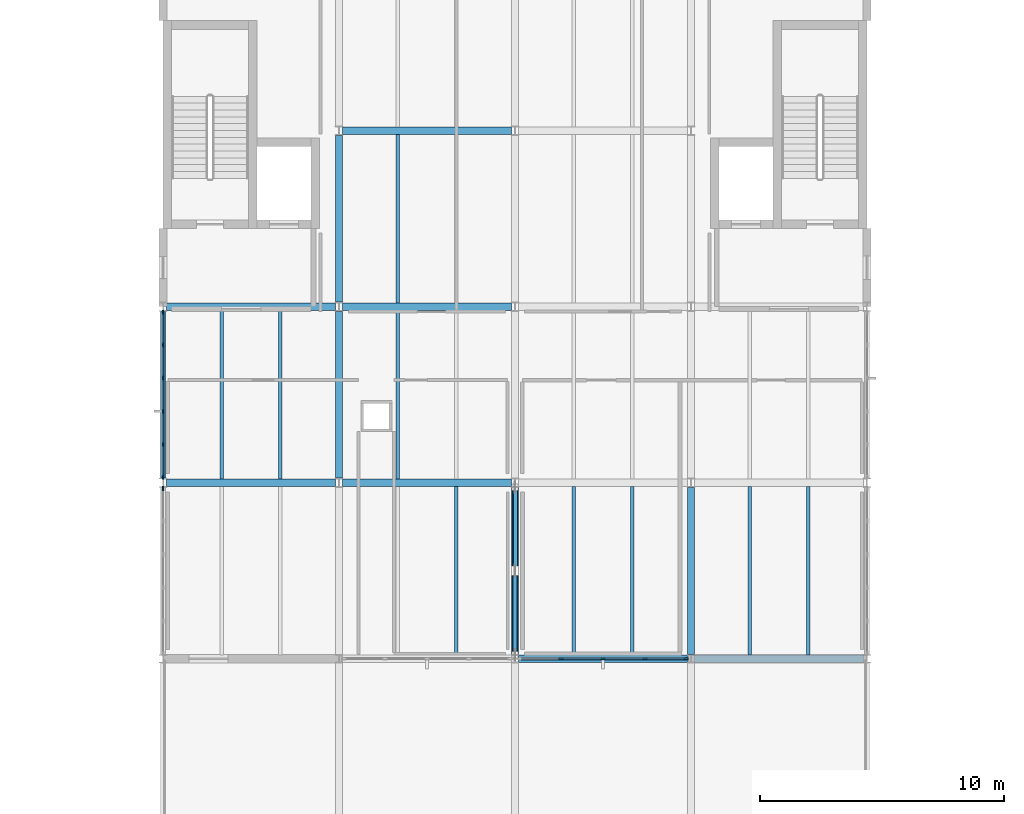
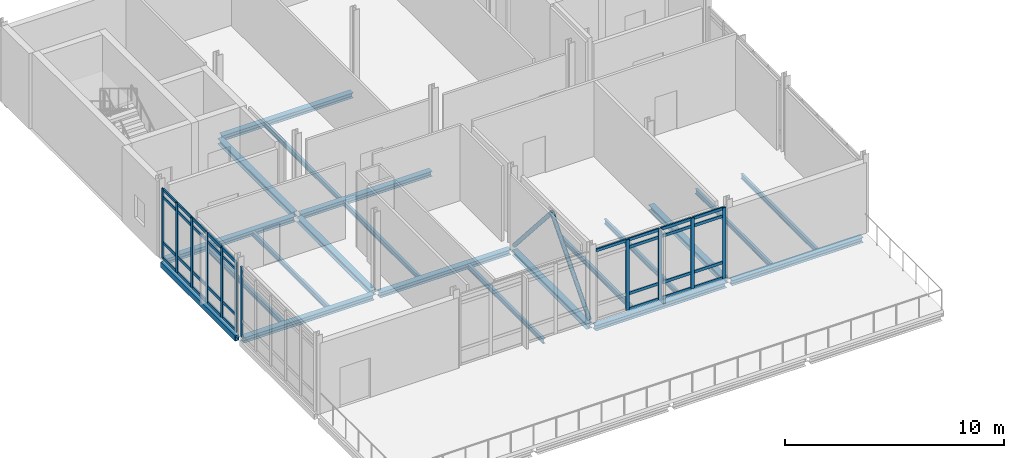
# One storey, part 20 of 53: 46 members, 21 beams, 3 elements without a shape of their own.
"""IFC4 building model written with IfcOpenShell, lengths in metres."""

import ifcopenshell
import ifcopenshell.guid

model = None  # the IFC model being written
_history = None  # IfcOwnerHistory: only IFC2X3 demands one
_inside = {}  # id of a spatial element -> (the spatial element, [elements in it])
_under = {}  # id of a project, library or spatial element -> (it, [spatial elements below it])
_declared = {}  # id of a project -> (the project, [libraries it declares])
_typed = {}  # id of a type object -> (the type object, [elements of that type])
_made_of = {}  # id of a material, layer set ... -> (it, [elements and type objects made of it])


def new_model(schema):
    """Start an empty IFC model of exactly this schema.

    Asked for "IFC4X3", IfcOpenShell would pick the latest addendum, in which some entities
    have other attributes; the version numbers below select the first issue.
    IFC2X3 requires an IfcOwnerHistory on every rooted entity: one is made here for all.
    """
    global model, _history
    if schema == "IFC4X3":
        model = ifcopenshell.file(schema_version=(4, 3, 0, 0))
    else:
        model = ifcopenshell.file(schema=schema)
    _inside.clear()
    _under.clear()
    _declared.clear()
    _typed.clear()
    _made_of.clear()
    _history = None
    if model.schema == "IFC2X3":
        org = make("IfcOrganization", Name="unknown")
        user = make(
            "IfcPersonAndOrganization",
            ThePerson=make("IfcPerson", FamilyName="unknown"),
            TheOrganization=org,
        )
        app = make(
            "IfcApplication",
            ApplicationDeveloper=org,
            Version="unknown",
            ApplicationFullName="unknown",
            ApplicationIdentifier="unknown",
        )
        _history = make(
            "IfcOwnerHistory",
            OwningUser=user,
            OwningApplication=app,
            ChangeAction="ADDED",
            CreationDate=0,
        )
    return model


def make(cls, **values):
    """One entity of the class cls with the attributes given. An attribute that is None is left unset."""
    return model.create_entity(
        cls, **{name: value for name, value in values.items() if value is not None}
    )


def rooted(cls, **values):
    """An entity with a GlobalId (a new one), such as an element, a storey or a relation."""
    return make(cls, GlobalId=ifcopenshell.guid.new(), OwnerHistory=_history, **values)


def si_unit(unit_type, name, prefix=None):
    """IfcSIUnit, for example si_unit("LENGTHUNIT", "METRE", prefix="MILLI")."""
    return make("IfcSIUnit", UnitType=unit_type, Prefix=prefix, Name=name)


def assignment(units):
    """IfcUnitAssignment: the units of a project."""
    return None if units is None else make("IfcUnitAssignment", Units=units)


def point(xyz):
    """IfcCartesianPoint."""
    return None if xyz is None else make("IfcCartesianPoint", Coordinates=xyz)


def direction(xyz):
    """IfcDirection."""
    return None if xyz is None else make("IfcDirection", DirectionRatios=xyz)


def frame(location, z_axis=None, x_axis=None):
    """IfcAxis2Placement3D, a coordinate frame: its origin and axes. An axis left out is left unset."""
    return make(
        "IfcAxis2Placement3D",
        Location=point(location),
        Axis=direction(z_axis),
        RefDirection=direction(x_axis),
    )


def frame_2d(location, x_axis=None):
    """IfcAxis2Placement2D, a coordinate frame in the plane: its origin and x axis."""
    return make(
        "IfcAxis2Placement2D", Location=point(location), RefDirection=direction(x_axis)
    )


def origin():
    """The frame at (0, 0, 0) with its axes left unset."""
    return frame((0.0, 0.0, 0.0))


def origin_2d():
    """The frame at (0, 0) in the plane with its x axis left unset."""
    return frame_2d((0.0, 0.0))


def place(relative_to, where):
    """IfcLocalPlacement: puts the frame where relative to a parent placement (None: the world)."""
    return make(
        "IfcLocalPlacement", PlacementRelTo=relative_to, RelativePlacement=where
    )


def context(
    kind, dimensions, precision=None, world=None, true_north=None, identifier=None
):
    """IfcGeometricRepresentationContext, for example the 3D "Model" context."""
    return make(
        "IfcGeometricRepresentationContext",
        ContextIdentifier=identifier,
        ContextType=kind,
        CoordinateSpaceDimension=dimensions,
        Precision=precision,
        WorldCoordinateSystem=world,
        TrueNorth=true_north,
    )


def subcontext(parent, identifier, kind, view, scale=None):
    """IfcGeometricRepresentationSubContext, for example "Body" below "Model"."""
    return make(
        "IfcGeometricRepresentationSubContext",
        ContextIdentifier=identifier,
        ContextType=kind,
        ParentContext=parent,
        TargetScale=scale,
        TargetView=view,
    )


def project(units=None, contexts=None):
    """IfcProject with its units and contexts."""
    return rooted(
        "IfcProject",
        Name="project",
        RepresentationContexts=contexts,
        UnitsInContext=assignment(units),
    )


def spatial(cls, under=None, at=None, **own):
    """A site, building, storey or space (cls), placed at a placement, below another one or the project."""
    s = rooted(cls, ObjectPlacement=at, **own)
    if under is not None:
        _under.setdefault(under.id(), (under, []))[1].append(s)
    return s


def profile(cls, at=None, kind="AREA", **sizes):
    """A parametric profile (cls). Its sizes go by their IFC names, for example OverallWidth=200.0."""
    return make(cls, ProfileType=kind, Position=at, **sizes)


def rectangle(**sizes):
    """IfcRectangleProfileDef."""
    return profile("IfcRectangleProfileDef", **sizes)


def hollow_rectangle(**sizes):
    """IfcRectangleHollowProfileDef."""
    return profile("IfcRectangleHollowProfileDef", **sizes)


def hollow_circle(**sizes):
    """IfcCircleHollowProfileDef."""
    return profile("IfcCircleHollowProfileDef", **sizes)


def i_section(**sizes):
    """IfcIShapeProfileDef."""
    return profile("IfcIShapeProfileDef", **sizes)


def extrude(swept, where, along, depth):
    """IfcExtrudedAreaSolid: the profile swept, set in the frame where, extruded along a direction by depth."""
    return make(
        "IfcExtrudedAreaSolid",
        SweptArea=swept,
        Position=where,
        ExtrudedDirection=direction(along),
        Depth=depth,
    )


def shape(context_of_items, identifier, shape_type, items):
    """IfcShapeRepresentation: the items that make up one representation, for example the "Body"."""
    return make(
        "IfcShapeRepresentation",
        ContextOfItems=context_of_items,
        RepresentationIdentifier=identifier,
        RepresentationType=shape_type,
        Items=items,
    )


def material(Name=None, Category=None):
    """IfcMaterial."""
    return make("IfcMaterial", Name=Name, Category=Category)


def layer(
    of_material, thickness, ventilated=None, Name=None, Category=None, Priority=None
):
    """IfcMaterialLayer: one layer of a wall or slab, of a material (None: an air gap)."""
    return make(
        "IfcMaterialLayer",
        Material=of_material,
        LayerThickness=thickness,
        IsVentilated=ventilated,
        Name=Name,
        Category=Category,
        Priority=Priority,
    )


def layer_set(layers, Name=None):
    """IfcMaterialLayerSet."""
    return make("IfcMaterialLayerSet", MaterialLayers=layers, LayerSetName=Name)


def material_profile(
    of_material, cross_section, Name=None, Category=None, Priority=None
):
    """IfcMaterialProfile: a cross section and its material."""
    return make(
        "IfcMaterialProfile",
        Name=Name,
        Material=of_material,
        Profile=cross_section,
        Priority=Priority,
        Category=Category,
    )


def profile_set(profiles, Name=None, composite=None):
    """IfcMaterialProfileSet."""
    return make(
        "IfcMaterialProfileSet",
        Name=Name,
        MaterialProfiles=profiles,
        CompositeProfile=composite,
    )


def made_of(thing, what):
    """Note that an element or type object is made of a material, layer set ...; save() writes the relation."""
    if what is not None:
        _made_of.setdefault(what.id(), (what, []))[1].append(thing)
    return thing


def type_object(cls, material=None, **own):
    """A type object (cls), such as IfcWallType, which elements share."""
    return made_of(rooted(cls, **own), material)


def element(
    cls,
    number,
    at=None,
    inside=None,
    cuts=None,
    type_object=None,
    material=None,
    context=None,
    identifier="Body",
    shape_type=None,
    held_by="IfcProductDefinitionShape",
    body=None,
    shapes=None,
    **own,
):
    """One element of the class cls, such as IfcWall. Its Tag is "e" and its number.

    at: its placement. inside: the storey or other place that contains it. cuts: it is an
    opening in that element (IfcRelVoidsElement). A single representation is given by context,
    identifier, shape_type and body (its items); several are given by shapes. held_by: the class
    of the entity that holds the representations. save() writes the other relations.
    """
    e = rooted(cls, Tag="e%d" % number, ObjectPlacement=at, **own)
    if body is not None:
        shapes = [shape(context, identifier, shape_type, body)]
    if shapes is not None:
        e.Representation = make(held_by, Representations=shapes)
    if inside is not None:
        _inside.setdefault(inside.id(), (inside, []))[1].append(e)
    if cuts is not None:
        rooted(
            "IfcRelVoidsElement", RelatingBuildingElement=cuts, RelatedOpeningElement=e
        )
    if type_object is not None:
        _typed.setdefault(type_object.id(), (type_object, []))[1].append(e)
    return made_of(e, material)


def aggregate(whole, parts):
    """IfcRelAggregates: a whole, such as a stair, and the parts it consists of."""
    return rooted("IfcRelAggregates", RelatingObject=whole, RelatedObjects=parts)


def save(model, path):
    """Write the relations noted so far, then the file.

    IfcRelAggregates (storeys below a building ...), IfcRelContainedInSpatialStructure (elements
    in a storey), IfcRelDefinesByType, IfcRelAssociatesMaterial and IfcRelDeclares: one each for
    every whole, place, type object, material and project.
    """
    for whole, parts in _under.values():
        aggregate(whole, parts)
    for where, things in _inside.values():
        rooted(
            "IfcRelContainedInSpatialStructure",
            RelatedElements=things,
            RelatingStructure=where,
        )
    for kind, things in _typed.values():
        rooted("IfcRelDefinesByType", RelatedObjects=things, RelatingType=kind)
    for what, things in _made_of.values():
        rooted("IfcRelAssociatesMaterial", RelatedObjects=things, RelatingMaterial=what)
    for by, libraries in _declared.values():
        rooted("IfcRelDeclares", RelatingContext=by, RelatedDefinitions=libraries)
    model.write(path)


model = new_model("IFC4")

# Units and contexts
model_context = context("Model", 3, precision=1e-05, world=origin(), true_north=direction((0.0, 1.0)))
body_context = subcontext(model_context, "Body", "Model", "MODEL_VIEW")
ifc_project = project(units=[si_unit("LENGTHUNIT", "METRE"), si_unit("AREAUNIT", "SQUARE_METRE"), si_unit("VOLUMEUNIT", "CUBIC_METRE"), si_unit("PLANEANGLEUNIT", "RADIAN"), si_unit("MASSUNIT", "GRAM", prefix="KILO")], contexts=[model_context])

# Site, building, storey
site_placement = place(None, origin())
site = spatial("IfcSite", under=ifc_project, at=site_placement, CompositionType="ELEMENT")
building_placement = place(site_placement, origin())
building = spatial("IfcBuilding", under=site, at=building_placement, Name="Zarrinpeak Specialist Clinic", CompositionType="ELEMENT")
storey_placement = place(building_placement, frame((0.0, 0.0, 14.0)))
storey = spatial("IfcBuildingStorey", under=building, at=storey_placement, Name="L03", CompositionType="ELEMENT", Elevation=14.0)

# Beams
ifc_material_1 = material(Name="Steel S355", Category="steel")
ifc_material_profile_1 = material_profile(ifc_material_1, i_section(OverallWidth=0.300048828125, OverallDepth=0.2900390625, WebThickness=0.008544921875, FlangeThickness=0.013916015625, FilletRadius=0.027099609375, at=origin_2d()), Name="HEA 300")
ifc_profile_set_1 = profile_set([ifc_material_profile_1], Name="Steel S355")
beam_type_1 = type_object("IfcBeamType", Name="BM-HEA300", PredefinedType="BEAM", material=ifc_profile_set_1)
beam_1_placement = place(storey_placement, frame((50.548095703125, 89.199951171875, -0.344970703125), z_axis=(1.0, 0.0, 0.0), x_axis=(0.0, 1.0, 0.0)))
element("IfcBeam", 1, at=beam_1_placement, inside=storey, type_object=beam_type_1, Name="L03 Primary Floor Girder BM-L03-X1577", PredefinedType="BEAM", context=body_context, shape_type="SweptSolid", body=[
    extrude(i_section(OverallWidth=0.300048828125, OverallDepth=0.2900390625, WebThickness=0.008544921875, FlangeThickness=0.013916015625, FilletRadius=0.027099609375, at=origin_2d()), origin(), (0.0, 0.0, 1.0), 6.90380859375),
])
for number, where, z_axis, x_axis, name in (
    (2, (57.748046875, 89.199951171875, -0.344970703125), (1.0, 0.0, 0.0), (0.0, 1.0, 0.0), "L03 Primary Floor Girder BM-L03-X1578"),
    (3, (36.14794921875, 96.39990234375, -0.344970703125), (1.0, 0.0, 0.0), (0.0, 1.0, 0.0), "L03 Primary Floor Girder BM-L03-X1579"),
    (4, (43.347900390625, 96.39990234375, -0.344970703125), (1.0, 0.0, 0.0), (0.0, 1.0, 0.0), "L03 Primary Floor Girder BM-L03-X1580"),
    (5, (36.14794921875, 103.60009765625, -0.344970703125), (1.0, 0.0, 0.0), (0.0, 1.0, 0.0), "L03 Primary Floor Girder BM-L03-X1583"),
    (6, (43.347900390625, 103.60009765625, -0.344970703125), (1.0, 0.0, 0.0), (0.0, 1.0, 0.0), "L03 Primary Floor Girder BM-L03-X1584"),
    (7, (43.347900390625, 110.800048828125, -0.344970703125), (1.0, 0.0, 0.0), (0.0, 1.0, 0.0), "L03 Primary Floor Girder BM-L03-X1587"),
):
    element("IfcBeam", number, at=place(storey_placement, frame(where, z_axis=z_axis, x_axis=x_axis)), inside=storey, type_object=beam_type_1, Name=name, PredefinedType="BEAM", context=body_context, shape_type="SweptSolid", body=[
        extrude(i_section(OverallWidth=0.300048828125, OverallDepth=0.2900390625, WebThickness=0.008544921875, FlangeThickness=0.013916015625, FilletRadius=0.027099609375, at=origin_2d()), origin(), (0.0, 0.0, 1.0), 6.904052734375),
    ])
beam_2_placement = place(storey_placement, frame((43.199951171875, 96.597900390625, -0.344970703125), z_axis=(0.0, 1.0, 0.0), x_axis=(-1.0, 0.0, 0.0)))
element("IfcBeam", 8, at=beam_2_placement, inside=storey, type_object=beam_type_1, Name="L03 Primary Beam BM-L03-Y1657", PredefinedType="BEAM", context=body_context, shape_type="SweptSolid", body=[
    extrude(i_section(OverallWidth=0.300048828125, OverallDepth=0.2900390625, WebThickness=0.008544921875, FlangeThickness=0.013916015625, FilletRadius=0.027099609375, at=origin_2d()), origin(), (0.0, 0.0, 1.0), 6.80419921875),
])
beam_3_placement = place(storey_placement, frame((43.199951171875, 103.798095703125, -0.344970703125), z_axis=(0.0, 1.0, 0.0), x_axis=(-1.0, 0.0, 0.0)))
element("IfcBeam", 9, at=beam_3_placement, inside=storey, type_object=beam_type_1, Name="L03 Primary Beam BM-L03-Y1658", PredefinedType="BEAM", context=body_context, shape_type="SweptSolid", body=[
    extrude(i_section(OverallWidth=0.300048828125, OverallDepth=0.2900390625, WebThickness=0.008544921875, FlangeThickness=0.013916015625, FilletRadius=0.027099609375, at=origin_2d()), origin(), (0.0, 0.0, 1.0), 6.803955078125),
])
for number, where, z_axis, x_axis, name in (
    (10, (50.39990234375, 89.3779296875, -0.344970703125), (0.0, 1.0, 0.0), (-1.0, 0.0, 0.0), "L03 Primary Beam BM-L03-Y1665"),
    (11, (57.60009765625, 89.3779296875, -0.344970703125), (0.0, 1.0, 0.0), (-1.0, 0.0, 0.0), "L03 Primary Beam BM-L03-Y1672"),
):
    element("IfcBeam", number, at=place(storey_placement, frame(where, z_axis=z_axis, x_axis=x_axis)), inside=storey, type_object=beam_type_1, Name=name, PredefinedType="BEAM", context=body_context, shape_type="SweptSolid", body=[
        extrude(i_section(OverallWidth=0.300048828125, OverallDepth=0.2900390625, WebThickness=0.008544921875, FlangeThickness=0.013916015625, FilletRadius=0.027099609375, at=origin_2d()), origin(), (0.0, 0.0, 1.0), 6.823974609375),
    ])
ifc_material_profile_2 = material_profile(ifc_material_1, i_section(OverallWidth=0.135009765625, OverallDepth=0.27001953125, WebThickness=0.006591796875, FlangeThickness=0.01025390625, FilletRadius=0.014892578125, at=origin_2d()), Name="IPE 270")
ifc_profile_set_2 = profile_set([ifc_material_profile_2], Name="Steel S355")
beam_type_2 = type_object("IfcBeamType", Name="BM-JST270", PredefinedType="JOIST", material=ifc_profile_set_2)
for number, where, z_axis, x_axis, name in (
    (12, (38.39990234375, 96.548095703125, -0.3349609375), (0.0, 1.0, 0.0), (-1.0, 0.0, 0.0), "L03 Composite Floor Joist JST-L03-1786"),
    (13, (40.800048828125, 96.548095703125, -0.3349609375), (0.0, 1.0, 0.0), (-1.0, 0.0, 0.0), "L03 Composite Floor Joist JST-L03-1787"),
):
    element("IfcBeam", number, at=place(storey_placement, frame(where, z_axis=z_axis, x_axis=x_axis)), inside=storey, type_object=beam_type_2, Name=name, PredefinedType="JOIST", context=body_context, shape_type="SweptSolid", body=[
        extrude(i_section(OverallWidth=0.135009765625, OverallDepth=0.27001953125, WebThickness=0.006591796875, FlangeThickness=0.01025390625, FilletRadius=0.014892578125, at=origin_2d()), origin(), (0.0, 0.0, 1.0), 6.90380859375),
    ])
beam_4_placement = place(storey_placement, frame((48.0, 89.347900390625, -0.3349609375), z_axis=(0.0, 1.0, 0.0), x_axis=(-1.0, 0.0, 0.0)))
element("IfcBeam", 14, at=beam_4_placement, inside=storey, type_object=beam_type_2, Name="L03 Composite Floor Joist JST-L03-1789", PredefinedType="JOIST", context=body_context, shape_type="SweptSolid", body=[
    extrude(i_section(OverallWidth=0.135009765625, OverallDepth=0.27001953125, WebThickness=0.006591796875, FlangeThickness=0.01025390625, FilletRadius=0.014892578125, at=origin_2d()), origin(), (0.0, 0.0, 1.0), 6.904052734375),
])
beam_5_placement = place(storey_placement, frame((45.60009765625, 96.548095703125, -0.3349609375), z_axis=(0.0, 1.0, 0.0), x_axis=(-1.0, 0.0, 0.0)))
element("IfcBeam", 15, at=beam_5_placement, inside=storey, type_object=beam_type_2, Name="L03 Composite Floor Joist JST-L03-1790", PredefinedType="JOIST", context=body_context, shape_type="SweptSolid", body=[
    extrude(i_section(OverallWidth=0.135009765625, OverallDepth=0.27001953125, WebThickness=0.006591796875, FlangeThickness=0.01025390625, FilletRadius=0.014892578125, at=origin_2d()), origin(), (0.0, 0.0, 1.0), 6.90380859375),
])
for number, where, z_axis, x_axis, name in (
    (16, (45.60009765625, 103.748046875, -0.3349609375), (0.0, 1.0, 0.0), (-1.0, 0.0, 0.0), "L03 Composite Floor Joist JST-L03-1792"),
    (17, (52.800048828125, 89.347900390625, -0.3349609375), (0.0, 1.0, 0.0), (-1.0, 0.0, 0.0), "L03 Composite Floor Joist JST-L03-1796"),
    (18, (55.199951171875, 89.347900390625, -0.3349609375), (0.0, 1.0, 0.0), (-1.0, 0.0, 0.0), "L03 Composite Floor Joist JST-L03-1797"),
    (19, (60.0, 89.347900390625, -0.3349609375), (0.0, 1.0, 0.0), (-1.0, 0.0, 0.0), "L03 Composite Floor Joist JST-L03-1804"),
    (20, (62.39990234375, 89.347900390625, -0.3349609375), (0.0, 1.0, 0.0), (-1.0, 0.0, 0.0), "L03 Composite Floor Joist JST-L03-1805"),
):
    element("IfcBeam", number, at=place(storey_placement, frame(where, z_axis=z_axis, x_axis=x_axis)), inside=storey, type_object=beam_type_2, Name=name, PredefinedType="JOIST", context=body_context, shape_type="SweptSolid", body=[
        extrude(i_section(OverallWidth=0.135009765625, OverallDepth=0.27001953125, WebThickness=0.006591796875, FlangeThickness=0.01025390625, FilletRadius=0.014892578125, at=origin_2d()), origin(), (0.0, 0.0, 1.0), 6.904052734375),
    ])
ifc_material_profile_3 = material_profile(ifc_material_1, hollow_rectangle(XDim=0.199951171875, YDim=0.300048828125, WallThickness=0.012451171875, at=origin_2d()), Name="RHS 300x200x12.5")
ifc_profile_set_3 = profile_set([ifc_material_profile_3], Name="Steel S355")
beam_type_3 = type_object("IfcBeamType", Name="BM-SP300", PredefinedType="SPANDREL", material=ifc_profile_set_3)
beam_6_placement = place(storey_placement, frame((36.0, 96.597900390625, -0.35009765625), z_axis=(0.0, 1.0, 0.0), x_axis=(-1.0, 0.0, 0.0)))
element("IfcBeam", 21, at=beam_6_placement, inside=storey, type_object=beam_type_3, Name="L03 Perimeter Spandrel Beam BM-L03-Y1651", PredefinedType="SPANDREL", context=body_context, shape_type="SweptSolid", body=[
    extrude(hollow_rectangle(XDim=0.199951171875, YDim=0.300048828125, WallThickness=0.012451171875, at=origin_2d()), origin(), (0.0, 0.0, 1.0), 6.80419921875),
])

# Curtain wall, members
ifc_material_2 = material(Name="Anodised Aluminium Alloy 6063-T6", Category="aluminium")
ifc_layer_1 = layer(ifc_material_2, 0.179931640625)
ifc_layer_set_1 = layer_set([ifc_layer_1], Name="Anodised Aluminium Alloy 6063-T6")
curtain_wall_type_1 = type_object("IfcCurtainWallType", Name="CW-COURT", PredefinedType="NOTDEFINED", material=ifc_layer_set_1)
curtain_wall_1_placement = place(storey_placement, origin())
curtain_wall_1 = element("IfcCurtainWall", 22, at=curtain_wall_1_placement, inside=storey, type_object=curtain_wall_type_1, Name="L03 V6 Unitised Curtain Wall CW-L03-V6-148", PredefinedType="NOTDEFINED")
ifc_material_profile_4 = material_profile(ifc_material_2, rectangle(XDim=0.074951171875, YDim=0.179931640625, at=origin_2d()), Name="ALU 75x180")
ifc_profile_set_4 = profile_set([ifc_material_profile_4], Name="Anodised Aluminium Alloy 6063-T6")
member_type_1 = type_object("IfcMemberType", Name="CWM-75", PredefinedType="MULLION", material=ifc_profile_set_4)
member_1_placement = place(storey_placement, frame((52.28759765625, 89.199951171875, 0.0), z_axis=(0.0, 0.0, 1.0), x_axis=(0.0, 1.0, 0.0)))
member_1 = element("IfcMember", 23, at=member_1_placement, type_object=member_type_1, Name="CW-01 mullion 2", PredefinedType="MULLION", context=body_context, shape_type="SweptSolid", body=[
    extrude(rectangle(XDim=0.074951171875, YDim=0.179931640625, at=origin_2d()), origin(), (0.0, 0.0, 1.0), 3.93505859375),
])
member_2_placement = place(storey_placement, frame((54.0, 89.199951171875, 0.0), z_axis=(0.0, 0.0, 1.0), x_axis=(0.0, 1.0, 0.0)))
member_2 = element("IfcMember", 24, at=member_2_placement, type_object=member_type_1, Name="CW-01 mullion 3", PredefinedType="MULLION", context=body_context, shape_type="SweptSolid", body=[
    extrude(rectangle(XDim=0.074951171875, YDim=0.179931640625, at=origin_2d()), origin(), (0.0, 0.0, 1.0), 3.93505859375),
])
member_3_placement = place(storey_placement, frame((55.71240234375, 89.199951171875, 0.0), z_axis=(0.0, 0.0, 1.0), x_axis=(0.0, 1.0, 0.0)))
member_3 = element("IfcMember", 25, at=member_3_placement, type_object=member_type_1, Name="CW-01 mullion 4", PredefinedType="MULLION", context=body_context, shape_type="SweptSolid", body=[
    extrude(rectangle(XDim=0.074951171875, YDim=0.179931640625, at=origin_2d()), origin(), (0.0, 0.0, 1.0), 3.93505859375),
])
member_4_placement = place(storey_placement, frame((57.387451171875, 89.199951171875, 0.0), z_axis=(0.0, 0.0, 1.0), x_axis=(0.0, 1.0, 0.0)))
member_4 = element("IfcMember", 26, at=member_4_placement, type_object=member_type_1, Name="CW-01 mullion 5", PredefinedType="MULLION", context=body_context, shape_type="SweptSolid", body=[
    extrude(rectangle(XDim=0.074951171875, YDim=0.179931640625, at=origin_2d()), origin(), (0.0, 0.0, 1.0), 3.93505859375),
])

# Curtain wall, member
ifc_layer_2 = layer(ifc_material_2, 0.1650390625)
ifc_layer_set_2 = layer_set([ifc_layer_2], Name="Anodised Aluminium Alloy 6063-T6")
curtain_wall_type_2 = type_object("IfcCurtainWallType", Name="CW-CLINIC", PredefinedType="NOTDEFINED", material=ifc_layer_set_2)
curtain_wall_2_placement = place(storey_placement, origin())
curtain_wall_2 = element("IfcCurtainWall", 27, at=curtain_wall_2_placement, inside=storey, type_object=curtain_wall_type_2, Name="L03 V6 Unitised Curtain Wall CW-L03-V6-149", PredefinedType="NOTDEFINED")
member_5_placement = place(storey_placement, frame((36.0, 96.157470703125, 0.0), z_axis=(0.0, 0.0, 1.0), x_axis=(1.0, 0.0, 0.0)))
member_5 = element("IfcMember", 28, at=member_5_placement, type_object=member_type_1, Name="CW-03 mullion 1", PredefinedType="MULLION", context=body_context, shape_type="SweptSolid", body=[
    extrude(rectangle(XDim=0.074951171875, YDim=0.179931640625, at=origin_2d()), origin(), (0.0, 0.0, 1.0), 3.885009765625),
])
aggregate(curtain_wall_2, [member_5])

# Curtain wall, members
curtain_wall_3_placement = place(storey_placement, origin())
curtain_wall_3 = element("IfcCurtainWall", 29, at=curtain_wall_3_placement, inside=storey, type_object=curtain_wall_type_2, Name="L03 V6 Unitised Curtain Wall CW-L03-V6-150", PredefinedType="NOTDEFINED")
member_6_placement = place(storey_placement, frame((36.0, 103.357421875, 0.0), z_axis=(0.0, 0.0, 1.0), x_axis=(1.0, 0.0, 0.0)))
member_6 = element("IfcMember", 30, at=member_6_placement, type_object=member_type_1, Name="CW-03 mullion 1", PredefinedType="MULLION", context=body_context, shape_type="SweptSolid", body=[
    extrude(rectangle(XDim=0.074951171875, YDim=0.179931640625, at=origin_2d()), origin(), (0.0, 0.0, 1.0), 3.885009765625),
])
member_7_placement = place(storey_placement, frame((36.0, 102.037109375, 0.0), z_axis=(0.0, 0.0, 1.0), x_axis=(1.0, 0.0, 0.0)))
member_7 = element("IfcMember", 31, at=member_7_placement, type_object=member_type_1, Name="CW-03 mullion 2", PredefinedType="MULLION", context=body_context, shape_type="SweptSolid", body=[
    extrude(rectangle(XDim=0.074951171875, YDim=0.179931640625, at=origin_2d()), origin(), (0.0, 0.0, 1.0), 3.885009765625),
])
member_8_placement = place(storey_placement, frame((36.0, 100.678955078125, 0.0), z_axis=(0.0, 0.0, 1.0), x_axis=(1.0, 0.0, 0.0)))
member_8 = element("IfcMember", 32, at=member_8_placement, type_object=member_type_1, Name="CW-03 mullion 3", PredefinedType="MULLION", context=body_context, shape_type="SweptSolid", body=[
    extrude(rectangle(XDim=0.074951171875, YDim=0.179931640625, at=origin_2d()), origin(), (0.0, 0.0, 1.0), 3.885009765625),
])
member_9_placement = place(storey_placement, frame((36.0, 99.321044921875, 0.0), z_axis=(0.0, 0.0, 1.0), x_axis=(1.0, 0.0, 0.0)))
member_9 = element("IfcMember", 33, at=member_9_placement, type_object=member_type_1, Name="CW-03 mullion 4", PredefinedType="MULLION", context=body_context, shape_type="SweptSolid", body=[
    extrude(rectangle(XDim=0.074951171875, YDim=0.179931640625, at=origin_2d()), origin(), (0.0, 0.0, 1.0), 3.885009765625),
])
member_10_placement = place(storey_placement, frame((36.0, 97.962890625, 0.0), z_axis=(0.0, 0.0, 1.0), x_axis=(1.0, 0.0, 0.0)))
member_10 = element("IfcMember", 34, at=member_10_placement, type_object=member_type_1, Name="CW-03 mullion 5", PredefinedType="MULLION", context=body_context, shape_type="SweptSolid", body=[
    extrude(rectangle(XDim=0.074951171875, YDim=0.179931640625, at=origin_2d()), origin(), (0.0, 0.0, 1.0), 3.885009765625),
])
member_11_placement = place(storey_placement, frame((36.0, 96.642578125, 0.0), z_axis=(0.0, 0.0, 1.0), x_axis=(1.0, 0.0, 0.0)))
member_11 = element("IfcMember", 35, at=member_11_placement, type_object=member_type_1, Name="CW-03 mullion 6", PredefinedType="MULLION", context=body_context, shape_type="SweptSolid", body=[
    extrude(rectangle(XDim=0.074951171875, YDim=0.179931640625, at=origin_2d()), origin(), (0.0, 0.0, 1.0), 3.885009765625),
])

# Member
ifc_material_profile_5 = material_profile(ifc_material_2, rectangle(XDim=0.074951171875, YDim=0.159912109375, at=origin_2d()), Name="ALU 75x160")
ifc_profile_set_5 = profile_set([ifc_material_profile_5], Name="Anodised Aluminium Alloy 6063-T6")
member_type_2 = type_object("IfcMemberType", Name="CWT-75", PredefinedType="USERDEFINED", material=ifc_profile_set_5)
member_12_placement = place(storey_placement, frame((50.64990234375, 89.199951171875, 3.8974609375), z_axis=(1.0, 0.0, 0.0), x_axis=(0.0, 1.0, 0.0)))
member_12 = element("IfcMember", 36, at=member_12_placement, type_object=member_type_2, Name="CW-01 transom 1.4", ObjectType="TRANSOM", PredefinedType="USERDEFINED", context=body_context, shape_type="SweptSolid", body=[
    extrude(rectangle(XDim=0.074951171875, YDim=0.159912109375, at=origin_2d()), origin(), (0.0, 0.0, 1.0), 1.60009765625),
])

member_13_placement = place(storey_placement, frame((52.324951171875, 89.199951171875, 0.03759765625), z_axis=(1.0, 0.0, 0.0), x_axis=(0.0, 1.0, 0.0)))
member_13 = element("IfcMember", 37, at=member_13_placement, type_object=member_type_2, Name="CW-01 transom 2.1", ObjectType="TRANSOM", PredefinedType="USERDEFINED", context=body_context, shape_type="SweptSolid", body=[
    extrude(rectangle(XDim=0.074951171875, YDim=0.159912109375, at=origin_2d()), origin(), (0.0, 0.0, 1.0), 1.637451171875),
])

member_14_placement = place(storey_placement, frame((52.324951171875, 89.199951171875, 0.89990234375), z_axis=(1.0, 0.0, 0.0), x_axis=(0.0, 1.0, 0.0)))
member_14 = element("IfcMember", 38, at=member_14_placement, type_object=member_type_2, Name="CW-01 transom 2.2", ObjectType="TRANSOM", PredefinedType="USERDEFINED", context=body_context, shape_type="SweptSolid", body=[
    extrude(rectangle(XDim=0.074951171875, YDim=0.159912109375, at=origin_2d()), origin(), (0.0, 0.0, 1.0), 1.637451171875),
])

member_15_placement = place(storey_placement, frame((52.324951171875, 89.199951171875, 3.485107421875), z_axis=(1.0, 0.0, 0.0), x_axis=(0.0, 1.0, 0.0)))
member_15 = element("IfcMember", 39, at=member_15_placement, type_object=member_type_2, Name="CW-01 transom 2.3", ObjectType="TRANSOM", PredefinedType="USERDEFINED", context=body_context, shape_type="SweptSolid", body=[
    extrude(rectangle(XDim=0.074951171875, YDim=0.159912109375, at=origin_2d()), origin(), (0.0, 0.0, 1.0), 1.637451171875),
])

member_16_placement = place(storey_placement, frame((52.324951171875, 89.199951171875, 3.8974609375), z_axis=(1.0, 0.0, 0.0), x_axis=(0.0, 1.0, 0.0)))
member_16 = element("IfcMember", 40, at=member_16_placement, type_object=member_type_2, Name="CW-01 transom 2.4", ObjectType="TRANSOM", PredefinedType="USERDEFINED", context=body_context, shape_type="SweptSolid", body=[
    extrude(rectangle(XDim=0.074951171875, YDim=0.159912109375, at=origin_2d()), origin(), (0.0, 0.0, 1.0), 1.637451171875),
])

member_17_placement = place(storey_placement, frame((54.03759765625, 89.199951171875, 0.03759765625), z_axis=(1.0, 0.0, 0.0), x_axis=(0.0, 1.0, 0.0)))
member_17 = element("IfcMember", 41, at=member_17_placement, type_object=member_type_2, Name="CW-01 transom 3.1", ObjectType="TRANSOM", PredefinedType="USERDEFINED", context=body_context, shape_type="SweptSolid", body=[
    extrude(rectangle(XDim=0.074951171875, YDim=0.159912109375, at=origin_2d()), origin(), (0.0, 0.0, 1.0), 1.637451171875),
])

member_18_placement = place(storey_placement, frame((54.03759765625, 89.199951171875, 0.89990234375), z_axis=(1.0, 0.0, 0.0), x_axis=(0.0, 1.0, 0.0)))
member_18 = element("IfcMember", 42, at=member_18_placement, type_object=member_type_2, Name="CW-01 transom 3.2", ObjectType="TRANSOM", PredefinedType="USERDEFINED", context=body_context, shape_type="SweptSolid", body=[
    extrude(rectangle(XDim=0.074951171875, YDim=0.159912109375, at=origin_2d()), origin(), (0.0, 0.0, 1.0), 1.637451171875),
])

member_19_placement = place(storey_placement, frame((54.03759765625, 89.199951171875, 3.485107421875), z_axis=(1.0, 0.0, 0.0), x_axis=(0.0, 1.0, 0.0)))
member_19 = element("IfcMember", 43, at=member_19_placement, type_object=member_type_2, Name="CW-01 transom 3.3", ObjectType="TRANSOM", PredefinedType="USERDEFINED", context=body_context, shape_type="SweptSolid", body=[
    extrude(rectangle(XDim=0.074951171875, YDim=0.159912109375, at=origin_2d()), origin(), (0.0, 0.0, 1.0), 1.637451171875),
])

member_20_placement = place(storey_placement, frame((54.03759765625, 89.199951171875, 3.8974609375), z_axis=(1.0, 0.0, 0.0), x_axis=(0.0, 1.0, 0.0)))
member_20 = element("IfcMember", 44, at=member_20_placement, type_object=member_type_2, Name="CW-01 transom 3.4", ObjectType="TRANSOM", PredefinedType="USERDEFINED", context=body_context, shape_type="SweptSolid", body=[
    extrude(rectangle(XDim=0.074951171875, YDim=0.159912109375, at=origin_2d()), origin(), (0.0, 0.0, 1.0), 1.637451171875),
])

member_21_placement = place(storey_placement, frame((55.75, 89.199951171875, 0.03759765625), z_axis=(1.0, 0.0, 0.0), x_axis=(0.0, 1.0, 0.0)))
member_21 = element("IfcMember", 45, at=member_21_placement, type_object=member_type_2, Name="CW-01 transom 4.1", ObjectType="TRANSOM", PredefinedType="USERDEFINED", context=body_context, shape_type="SweptSolid", body=[
    extrude(rectangle(XDim=0.074951171875, YDim=0.159912109375, at=origin_2d()), origin(), (0.0, 0.0, 1.0), 1.60009765625),
])

member_22_placement = place(storey_placement, frame((55.75, 89.199951171875, 0.89990234375), z_axis=(1.0, 0.0, 0.0), x_axis=(0.0, 1.0, 0.0)))
member_22 = element("IfcMember", 46, at=member_22_placement, type_object=member_type_2, Name="CW-01 transom 4.2", ObjectType="TRANSOM", PredefinedType="USERDEFINED", context=body_context, shape_type="SweptSolid", body=[
    extrude(rectangle(XDim=0.074951171875, YDim=0.159912109375, at=origin_2d()), origin(), (0.0, 0.0, 1.0), 1.60009765625),
])

member_23_placement = place(storey_placement, frame((55.75, 89.199951171875, 3.485107421875), z_axis=(1.0, 0.0, 0.0), x_axis=(0.0, 1.0, 0.0)))
member_23 = element("IfcMember", 47, at=member_23_placement, type_object=member_type_2, Name="CW-01 transom 4.3", ObjectType="TRANSOM", PredefinedType="USERDEFINED", context=body_context, shape_type="SweptSolid", body=[
    extrude(rectangle(XDim=0.074951171875, YDim=0.159912109375, at=origin_2d()), origin(), (0.0, 0.0, 1.0), 1.60009765625),
])

member_24_placement = place(storey_placement, frame((55.75, 89.199951171875, 3.8974609375), z_axis=(1.0, 0.0, 0.0), x_axis=(0.0, 1.0, 0.0)))
member_24 = element("IfcMember", 48, at=member_24_placement, type_object=member_type_2, Name="CW-01 transom 4.4", ObjectType="TRANSOM", PredefinedType="USERDEFINED", context=body_context, shape_type="SweptSolid", body=[
    extrude(rectangle(XDim=0.074951171875, YDim=0.159912109375, at=origin_2d()), origin(), (0.0, 0.0, 1.0), 1.60009765625),
])

aggregate(curtain_wall_1, [member_1, member_2, member_3, member_4, member_12, member_13, member_14, member_15, member_16, member_17, member_18, member_19, member_20, member_21, member_22, member_23, member_24])

member_25_placement = place(storey_placement, frame((36.0, 103.320068359375, 0.03759765625), z_axis=(0.0, -1.0, 0.0), x_axis=(1.0, 0.0, 0.0)))
member_25 = element("IfcMember", 49, at=member_25_placement, type_object=member_type_2, Name="CW-03 transom 1.1", ObjectType="TRANSOM", PredefinedType="USERDEFINED", context=body_context, shape_type="SweptSolid", body=[
    extrude(rectangle(XDim=0.074951171875, YDim=0.159912109375, at=origin_2d()), origin(), (0.0, 0.0, 1.0), 1.24560546875),
])

member_26_placement = place(storey_placement, frame((36.0, 103.320068359375, 0.89990234375), z_axis=(0.0, -1.0, 0.0), x_axis=(1.0, 0.0, 0.0)))
member_26 = element("IfcMember", 50, at=member_26_placement, type_object=member_type_2, Name="CW-03 transom 1.2", ObjectType="TRANSOM", PredefinedType="USERDEFINED", context=body_context, shape_type="SweptSolid", body=[
    extrude(rectangle(XDim=0.074951171875, YDim=0.159912109375, at=origin_2d()), origin(), (0.0, 0.0, 1.0), 1.24560546875),
])

member_27_placement = place(storey_placement, frame((36.0, 103.320068359375, 3.43505859375), z_axis=(0.0, -1.0, 0.0), x_axis=(1.0, 0.0, 0.0)))
member_27 = element("IfcMember", 51, at=member_27_placement, type_object=member_type_2, Name="CW-03 transom 1.3", ObjectType="TRANSOM", PredefinedType="USERDEFINED", context=body_context, shape_type="SweptSolid", body=[
    extrude(rectangle(XDim=0.074951171875, YDim=0.159912109375, at=origin_2d()), origin(), (0.0, 0.0, 1.0), 1.24560546875),
])

member_28_placement = place(storey_placement, frame((36.0, 103.320068359375, 3.847412109375), z_axis=(0.0, -1.0, 0.0), x_axis=(1.0, 0.0, 0.0)))
member_28 = element("IfcMember", 52, at=member_28_placement, type_object=member_type_2, Name="CW-03 transom 1.4", ObjectType="TRANSOM", PredefinedType="USERDEFINED", context=body_context, shape_type="SweptSolid", body=[
    extrude(rectangle(XDim=0.074951171875, YDim=0.159912109375, at=origin_2d()), origin(), (0.0, 0.0, 1.0), 1.24560546875),
])

member_29_placement = place(storey_placement, frame((36.0, 101.99951171875, 0.03759765625), z_axis=(0.0, -1.0, 0.0), x_axis=(1.0, 0.0, 0.0)))
member_29 = element("IfcMember", 53, at=member_29_placement, type_object=member_type_2, Name="CW-03 transom 2.1", ObjectType="TRANSOM", PredefinedType="USERDEFINED", context=body_context, shape_type="SweptSolid", body=[
    extrude(rectangle(XDim=0.074951171875, YDim=0.159912109375, at=origin_2d()), origin(), (0.0, 0.0, 1.0), 1.282958984375),
])

member_30_placement = place(storey_placement, frame((36.0, 101.99951171875, 0.89990234375), z_axis=(0.0, -1.0, 0.0), x_axis=(1.0, 0.0, 0.0)))
member_30 = element("IfcMember", 54, at=member_30_placement, type_object=member_type_2, Name="CW-03 transom 2.2", ObjectType="TRANSOM", PredefinedType="USERDEFINED", context=body_context, shape_type="SweptSolid", body=[
    extrude(rectangle(XDim=0.074951171875, YDim=0.159912109375, at=origin_2d()), origin(), (0.0, 0.0, 1.0), 1.282958984375),
])

member_31_placement = place(storey_placement, frame((36.0, 101.99951171875, 3.43505859375), z_axis=(0.0, -1.0, 0.0), x_axis=(1.0, 0.0, 0.0)))
member_31 = element("IfcMember", 55, at=member_31_placement, type_object=member_type_2, Name="CW-03 transom 2.3", ObjectType="TRANSOM", PredefinedType="USERDEFINED", context=body_context, shape_type="SweptSolid", body=[
    extrude(rectangle(XDim=0.074951171875, YDim=0.159912109375, at=origin_2d()), origin(), (0.0, 0.0, 1.0), 1.282958984375),
])

member_32_placement = place(storey_placement, frame((36.0, 101.99951171875, 3.847412109375), z_axis=(0.0, -1.0, 0.0), x_axis=(1.0, 0.0, 0.0)))
member_32 = element("IfcMember", 56, at=member_32_placement, type_object=member_type_2, Name="CW-03 transom 2.4", ObjectType="TRANSOM", PredefinedType="USERDEFINED", context=body_context, shape_type="SweptSolid", body=[
    extrude(rectangle(XDim=0.074951171875, YDim=0.159912109375, at=origin_2d()), origin(), (0.0, 0.0, 1.0), 1.282958984375),
])

member_33_placement = place(storey_placement, frame((36.0, 100.6416015625, 0.03759765625), z_axis=(0.0, -1.0, 0.0), x_axis=(1.0, 0.0, 0.0)))
member_33 = element("IfcMember", 57, at=member_33_placement, type_object=member_type_2, Name="CW-03 transom 3.1", ObjectType="TRANSOM", PredefinedType="USERDEFINED", context=body_context, shape_type="SweptSolid", body=[
    extrude(rectangle(XDim=0.074951171875, YDim=0.159912109375, at=origin_2d()), origin(), (0.0, 0.0, 1.0), 1.283203125),
])

member_34_placement = place(storey_placement, frame((36.0, 100.6416015625, 0.89990234375), z_axis=(0.0, -1.0, 0.0), x_axis=(1.0, 0.0, 0.0)))
member_34 = element("IfcMember", 58, at=member_34_placement, type_object=member_type_2, Name="CW-03 transom 3.2", ObjectType="TRANSOM", PredefinedType="USERDEFINED", context=body_context, shape_type="SweptSolid", body=[
    extrude(rectangle(XDim=0.074951171875, YDim=0.159912109375, at=origin_2d()), origin(), (0.0, 0.0, 1.0), 1.283203125),
])

member_35_placement = place(storey_placement, frame((36.0, 100.6416015625, 3.43505859375), z_axis=(0.0, -1.0, 0.0), x_axis=(1.0, 0.0, 0.0)))
member_35 = element("IfcMember", 59, at=member_35_placement, type_object=member_type_2, Name="CW-03 transom 3.3", ObjectType="TRANSOM", PredefinedType="USERDEFINED", context=body_context, shape_type="SweptSolid", body=[
    extrude(rectangle(XDim=0.074951171875, YDim=0.159912109375, at=origin_2d()), origin(), (0.0, 0.0, 1.0), 1.283203125),
])

member_36_placement = place(storey_placement, frame((36.0, 100.6416015625, 3.847412109375), z_axis=(0.0, -1.0, 0.0), x_axis=(1.0, 0.0, 0.0)))
member_36 = element("IfcMember", 60, at=member_36_placement, type_object=member_type_2, Name="CW-03 transom 3.4", ObjectType="TRANSOM", PredefinedType="USERDEFINED", context=body_context, shape_type="SweptSolid", body=[
    extrude(rectangle(XDim=0.074951171875, YDim=0.159912109375, at=origin_2d()), origin(), (0.0, 0.0, 1.0), 1.283203125),
])

member_37_placement = place(storey_placement, frame((36.0, 99.283447265625, 0.03759765625), z_axis=(0.0, -1.0, 0.0), x_axis=(1.0, 0.0, 0.0)))
member_37 = element("IfcMember", 61, at=member_37_placement, type_object=member_type_2, Name="CW-03 transom 4.1", ObjectType="TRANSOM", PredefinedType="USERDEFINED", context=body_context, shape_type="SweptSolid", body=[
    extrude(rectangle(XDim=0.074951171875, YDim=0.159912109375, at=origin_2d()), origin(), (0.0, 0.0, 1.0), 1.282958984375),
])

member_38_placement = place(storey_placement, frame((36.0, 99.283447265625, 0.89990234375), z_axis=(0.0, -1.0, 0.0), x_axis=(1.0, 0.0, 0.0)))
member_38 = element("IfcMember", 62, at=member_38_placement, type_object=member_type_2, Name="CW-03 transom 4.2", ObjectType="TRANSOM", PredefinedType="USERDEFINED", context=body_context, shape_type="SweptSolid", body=[
    extrude(rectangle(XDim=0.074951171875, YDim=0.159912109375, at=origin_2d()), origin(), (0.0, 0.0, 1.0), 1.282958984375),
])

member_39_placement = place(storey_placement, frame((36.0, 99.283447265625, 3.43505859375), z_axis=(0.0, -1.0, 0.0), x_axis=(1.0, 0.0, 0.0)))
member_39 = element("IfcMember", 63, at=member_39_placement, type_object=member_type_2, Name="CW-03 transom 4.3", ObjectType="TRANSOM", PredefinedType="USERDEFINED", context=body_context, shape_type="SweptSolid", body=[
    extrude(rectangle(XDim=0.074951171875, YDim=0.159912109375, at=origin_2d()), origin(), (0.0, 0.0, 1.0), 1.282958984375),
])

member_40_placement = place(storey_placement, frame((36.0, 99.283447265625, 3.847412109375), z_axis=(0.0, -1.0, 0.0), x_axis=(1.0, 0.0, 0.0)))
member_40 = element("IfcMember", 64, at=member_40_placement, type_object=member_type_2, Name="CW-03 transom 4.4", ObjectType="TRANSOM", PredefinedType="USERDEFINED", context=body_context, shape_type="SweptSolid", body=[
    extrude(rectangle(XDim=0.074951171875, YDim=0.159912109375, at=origin_2d()), origin(), (0.0, 0.0, 1.0), 1.282958984375),
])

member_41_placement = place(storey_placement, frame((36.0, 97.925537109375, 0.03759765625), z_axis=(0.0, -1.0, 0.0), x_axis=(1.0, 0.0, 0.0)))
member_41 = element("IfcMember", 65, at=member_41_placement, type_object=member_type_2, Name="CW-03 transom 5.1", ObjectType="TRANSOM", PredefinedType="USERDEFINED", context=body_context, shape_type="SweptSolid", body=[
    extrude(rectangle(XDim=0.074951171875, YDim=0.159912109375, at=origin_2d()), origin(), (0.0, 0.0, 1.0), 1.24560546875),
])

member_42_placement = place(storey_placement, frame((36.0, 97.925537109375, 0.89990234375), z_axis=(0.0, -1.0, 0.0), x_axis=(1.0, 0.0, 0.0)))
member_42 = element("IfcMember", 66, at=member_42_placement, type_object=member_type_2, Name="CW-03 transom 5.2", ObjectType="TRANSOM", PredefinedType="USERDEFINED", context=body_context, shape_type="SweptSolid", body=[
    extrude(rectangle(XDim=0.074951171875, YDim=0.159912109375, at=origin_2d()), origin(), (0.0, 0.0, 1.0), 1.24560546875),
])

member_43_placement = place(storey_placement, frame((36.0, 97.925537109375, 3.43505859375), z_axis=(0.0, -1.0, 0.0), x_axis=(1.0, 0.0, 0.0)))
member_43 = element("IfcMember", 67, at=member_43_placement, type_object=member_type_2, Name="CW-03 transom 5.3", ObjectType="TRANSOM", PredefinedType="USERDEFINED", context=body_context, shape_type="SweptSolid", body=[
    extrude(rectangle(XDim=0.074951171875, YDim=0.159912109375, at=origin_2d()), origin(), (0.0, 0.0, 1.0), 1.24560546875),
])

member_44_placement = place(storey_placement, frame((36.0, 97.925537109375, 3.847412109375), z_axis=(0.0, -1.0, 0.0), x_axis=(1.0, 0.0, 0.0)))
member_44 = element("IfcMember", 68, at=member_44_placement, type_object=member_type_2, Name="CW-03 transom 5.4", ObjectType="TRANSOM", PredefinedType="USERDEFINED", context=body_context, shape_type="SweptSolid", body=[
    extrude(rectangle(XDim=0.074951171875, YDim=0.159912109375, at=origin_2d()), origin(), (0.0, 0.0, 1.0), 1.24560546875),
])

aggregate(curtain_wall_3, [member_6, member_7, member_8, member_9, member_10, member_11, member_25, member_26, member_27, member_28, member_29, member_30, member_31, member_32, member_33, member_34, member_35, member_36, member_37, member_38, member_39, member_40, member_41, member_42, member_43, member_44])

# Members
ifc_material_profile_6 = material_profile(ifc_material_1, hollow_circle(Radius=0.109619140625, WallThickness=0.010009765625, at=origin_2d()), Name="CHS 219.1x10.0")
ifc_profile_set_6 = profile_set([ifc_material_profile_6], Name="Steel S355")
member_type_3 = type_object("IfcMemberType", Name="MB-BR219", PredefinedType="BRACE", material=ifc_profile_set_6)
member_45_placement = place(storey_placement, frame((50.39990234375, 89.360107421875, 0.0048828125), z_axis=(0.0, 0.661008531114, 0.750378385746), x_axis=(-1.0, 0.0, 0.0)))
element("IfcMember", 69, at=member_45_placement, inside=storey, type_object=member_type_3, Name="V6 L03 Seismic Concentric Brace CBF-049", PredefinedType="BRACE", context=body_context, shape_type="SweptSolid", body=[
    extrude(hollow_circle(Radius=0.109619140625, WallThickness=0.010009765625, at=origin_2d()), origin(), (0.0, 0.0, 1.0), 5.2041015625),
])
member_46_placement = place(storey_placement, frame((50.39990234375, 96.219970703125, 0.0048828125), z_axis=(0.0, -0.65883418988, 0.752288182976), x_axis=(1.0, 0.0, 0.0)))
element("IfcMember", 70, at=member_46_placement, inside=storey, type_object=member_type_3, Name="V6 L03 Seismic Concentric Brace CBF-050", PredefinedType="BRACE", context=body_context, shape_type="SweptSolid", body=[
    extrude(hollow_circle(Radius=0.109619140625, WallThickness=0.010009765625, at=origin_2d()), origin(), (0.0, 0.0, 1.0), 5.19091796875),
])

save(model, "model.ifc")
